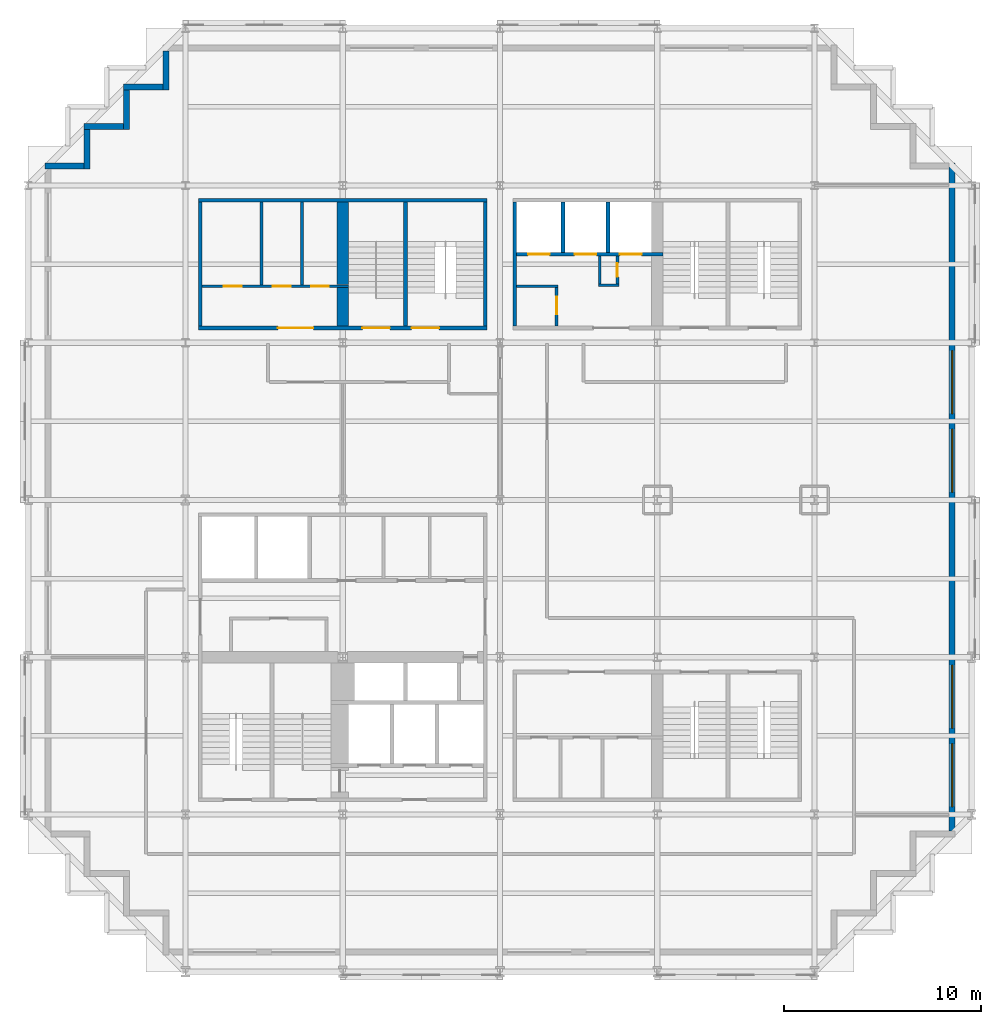
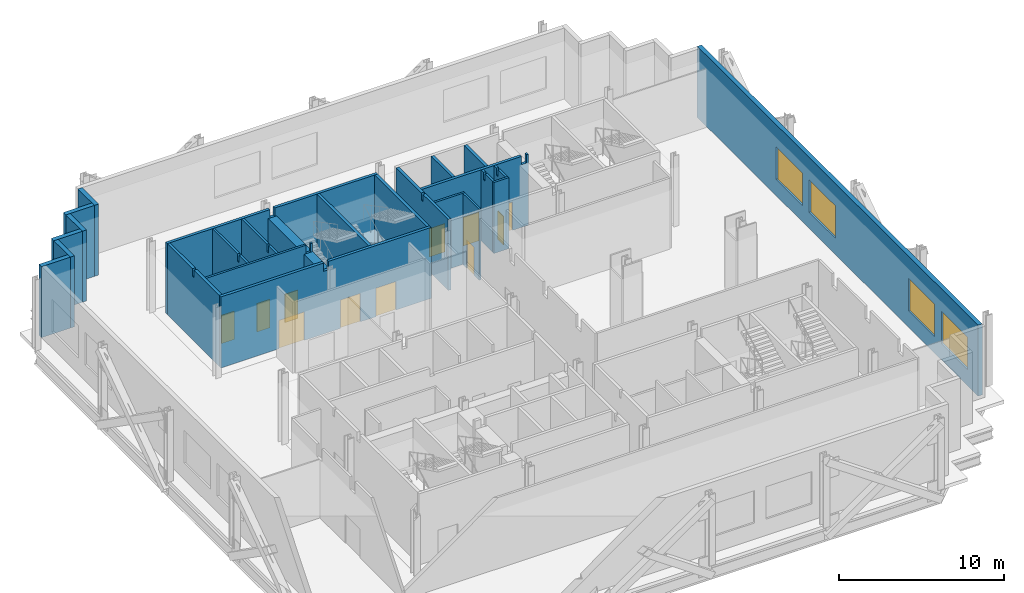
# One storey, part 7 of 10: 26 walls, 11 doors, 4 windows, 15 openings.
"""IFC4 building model written with IfcOpenShell, lengths in metres."""

from ifc_helpers import new_model, si_unit, direction, frame, frame_2d, origin, place, context, subcontext, project, spatial, polyline, rectangle, outline, extrude, material, layer, layer_set, type_object, element, fill, save


model = new_model("IFC4")

# Units and contexts
model_context = context("Model", 3, precision=1e-05, world=origin(), true_north=direction((0.0, 1.0)))
body_context = subcontext(model_context, "Body", "Model", "MODEL_VIEW")
ifc_project = project(units=[si_unit("LENGTHUNIT", "METRE"), si_unit("AREAUNIT", "SQUARE_METRE"), si_unit("VOLUMEUNIT", "CUBIC_METRE"), si_unit("PLANEANGLEUNIT", "RADIAN"), si_unit("MASSUNIT", "GRAM", prefix="KILO")], contexts=[model_context])

# Site, building, storey
site_placement = place(None, origin())
site = spatial("IfcSite", under=ifc_project, at=site_placement, CompositionType="ELEMENT")
building_placement = place(site_placement, origin())
building = spatial("IfcBuilding", under=site, at=building_placement, Name="Immortelle Media Tower", CompositionType="ELEMENT")
storey_placement = place(building_placement, frame((0.0, 0.0, 29.39990234375)))
storey = spatial("IfcBuildingStorey", under=building, at=storey_placement, Name="L03", CompositionType="ELEMENT", Elevation=29.39990234375)

# Wall, openings, doors
ifc_material_1 = material(Name="Fire-rated gypsum board", Category="gypsum")
ifc_layer_1 = layer(ifc_material_1, 0.02490234375)
ifc_material_2 = material(Name="Steel ASTM A653 SS Gr 50 stud frame with mineral wool", Category="steel")
ifc_layer_2 = layer(ifc_material_2, 0.10009765625)
ifc_layer_3 = layer(ifc_material_1, 0.02490234375)
ifc_layer_set_1 = layer_set([ifc_layer_1, ifc_layer_2, ifc_layer_3], Name="Steel ASTM A653 SS Gr 50 stud frame with mineral wool")
wall_type_1 = type_object("IfcWallType", Name="Core partition 150", PredefinedType="PARTITIONING", material=ifc_layer_set_1)
wall_1_placement = place(storey_placement, frame((8.85009765625, 34.875, 0.0), z_axis=(0.0, 0.0, 1.0), x_axis=(1.0, 0.0, 0.0)))
wall_1 = element("IfcWall", 1, at=wall_1_placement, inside=storey, type_object=wall_type_1, Name="Core partition NW", PredefinedType="PARTITIONING", context=body_context, shape_type="SweptSolid", body=[
    extrude(outline(polyline([(0.0, 0.0), (7.449951171875, 0.0), (7.449951171875, 5.25), (7.31689453125, 5.25), (7.31591796875, 4.632080078125), (6.98388671875, 4.632080078125), (6.98291015625, 5.25), (0.0, 5.25), (0.0, 0.0)])), frame((0.0, 0.074951171875, 0.0), z_axis=(0.0, -1.0, 0.0), x_axis=(1.0, 0.0, 0.0)), (0.0, 0.0, 1.0), 0.14990234375),
])
opening_1_placement = place(wall_1_placement, frame((1.10009765625, 0.0, 0.0)))
opening_1 = element("IfcOpeningElement", 2, at=opening_1_placement, cuts=wall_1, Name="Opening P3-K021", PredefinedType="OPENING", context=body_context, shape_type="SweptSolid", body=[
    extrude(rectangle(XDim=0.89990234375, YDim=2.10009765625, at=frame_2d((0.449951171875, 1.050048828125))), frame((0.0, 0.0849609375, 0.0), z_axis=(0.0, -1.0, 0.0), x_axis=(1.0, 0.0, 0.0)), (0.0, 0.0, 1.0), 0.169921875),
])
opening_2_placement = place(wall_1_placement, frame((3.60009765625, 0.0, 0.0)))
opening_2 = element("IfcOpeningElement", 3, at=opening_2_placement, cuts=wall_1, Name="Opening P3-K022", PredefinedType="OPENING", context=body_context, shape_type="SweptSolid", body=[
    extrude(rectangle(XDim=0.89990234375, YDim=2.10009765625, at=frame_2d((0.449951171875, 1.050048828125))), frame((0.0, 0.0849609375, 0.0), z_axis=(0.0, -1.0, 0.0), x_axis=(1.0, 0.0, 0.0)), (0.0, 0.0, 1.0), 0.169921875),
])
opening_3_placement = place(wall_1_placement, frame((5.550048828125, 0.0, 0.0)))
opening_3 = element("IfcOpeningElement", 4, at=opening_3_placement, cuts=wall_1, Name="Opening P3-K024", PredefinedType="OPENING", context=body_context, shape_type="SweptSolid", body=[
    extrude(rectangle(XDim=0.89990234375, YDim=2.10009765625, at=frame_2d((0.449951171875, 1.050048828125))), frame((0.0, 0.0849609375, 0.0), z_axis=(0.0, -1.0, 0.0), x_axis=(1.0, 0.0, 0.0)), (0.0, 0.0, 1.0), 0.169921875),
])
ifc_material_3 = material(Name="Timber", Category="wood")
door_type_1 = type_object("IfcDoorType", Name="Room door 900 x 2100", OperationType="NOTDEFINED", PredefinedType="NOTDEFINED", material=ifc_material_3)
door_1_placement = place(opening_1_placement, origin())
door_1 = element("IfcDoor", 5, at=door_1_placement, inside=storey, type_object=door_type_1, Name="Room P3-K021", OperationType="SINGLE_SWING_LEFT", OverallHeight=2.10009765625, OverallWidth=0.89990234375, PredefinedType="NOTDEFINED", context=body_context, shape_type="SweptSolid", body=[
    extrude(rectangle(XDim=0.89990234375, YDim=2.10009765625, at=frame_2d((0.449951171875, 1.050048828125))), frame((0.0, 0.02490234375, 0.0), z_axis=(0.0, -1.0, 0.0), x_axis=(1.0, 0.0, 0.0)), (0.0, 0.0, 1.0), 0.050048828125),
])
fill(opening_1, door_1)
door_2_placement = place(opening_2_placement, origin())
door_2 = element("IfcDoor", 6, at=door_2_placement, inside=storey, type_object=door_type_1, Name="Room P3-K022", OperationType="SINGLE_SWING_LEFT", OverallHeight=2.10009765625, OverallWidth=0.89990234375, PredefinedType="NOTDEFINED", context=body_context, shape_type="SweptSolid", body=[
    extrude(rectangle(XDim=0.89990234375, YDim=2.10009765625, at=frame_2d((0.449951171875, 1.050048828125))), frame((0.0, 0.02490234375, 0.0), z_axis=(0.0, -1.0, 0.0), x_axis=(1.0, 0.0, 0.0)), (0.0, 0.0, 1.0), 0.050048828125),
])
fill(opening_2, door_2)
ifc_material_4 = material(Name="Galvanised steel door leaf and frame ASTM A653", Category="steel")
door_type_2 = type_object("IfcDoorType", Name="Service door 900 x 2100", OperationType="NOTDEFINED", PredefinedType="NOTDEFINED", material=ifc_material_4)
door_3_placement = place(opening_3_placement, origin())
door_3 = element("IfcDoor", 7, at=door_3_placement, inside=storey, type_object=door_type_2, Name="Service P3-K024", OperationType="SINGLE_SWING_RIGHT", OverallHeight=2.10009765625, OverallWidth=0.89990234375, PredefinedType="NOTDEFINED", context=body_context, shape_type="SweptSolid", body=[
    extrude(rectangle(XDim=0.89990234375, YDim=2.10009765625, at=frame_2d((0.449951171875, 1.050048828125))), frame((0.0, 0.02490234375, 0.0), z_axis=(0.0, -1.0, 0.0), x_axis=(1.0, 0.0, 0.0)), (0.0, 0.0, 1.0), 0.050048828125),
])
fill(opening_3, door_3)

# Walls
for number, where, z_axis, x_axis, name in (
    (8, (11.875, 34.949951171875, 0.0), (0.0, 0.0, 1.0), (0.0, 1.0, 0.0), "Core partition NW"),
    (9, (13.925048828125, 34.949951171875, 0.0), (0.0, 0.0, 1.0), (0.0, 1.0, 0.0), "Core partition NW"),
):
    element("IfcWall", number, at=place(storey_placement, frame(where, z_axis=z_axis, x_axis=x_axis)), inside=storey, type_object=wall_type_1, Name=name, PredefinedType="PARTITIONING", context=body_context, shape_type="SweptSolid", body=[
        extrude(outline(polyline([(0.0, 0.0), (4.199951171875, 0.0), (4.199951171875, 5.25), (1.138427734375, 5.25), (1.137451171875, 4.7080078125), (0.96240234375, 4.7080078125), (0.96142578125, 5.25), (0.0, 5.25), (0.0, 0.0)])), frame((0.0, 0.074951171875, 0.0), z_axis=(0.0, -1.0, 0.0), x_axis=(1.0, 0.0, 0.0)), (0.0, 0.0, 1.0), 0.14990234375),
    ])
wall_2_placement = place(storey_placement, frame((24.85009765625, 34.875, 0.0), z_axis=(0.0, 0.0, 1.0), x_axis=(1.0, 0.0, 0.0)))
element("IfcWall", 10, at=wall_2_placement, inside=storey, type_object=wall_type_1, Name="Core partition NE", PredefinedType="PARTITIONING", context=body_context, shape_type="SweptSolid", body=[
    extrude(rectangle(XDim=2.099853515625, YDim=0.14990234375, at=frame_2d((1.0498046875, 0.0))), origin(), (0.0, 0.0, 1.0), 5.25),
])

# Wall, opening, door
wall_3_placement = place(storey_placement, frame((26.875, 32.85009765625, 0.0), z_axis=(0.0, 0.0, 1.0), x_axis=(0.0, 1.0, 0.0)))
wall_3 = element("IfcWall", 11, at=wall_3_placement, inside=storey, type_object=wall_type_1, Name="Core partition NE", PredefinedType="PARTITIONING", context=body_context, shape_type="SweptSolid", body=[
    extrude(rectangle(XDim=1.949951171875, YDim=0.14990234375, at=frame_2d((0.97509765625, 0.0))), origin(), (0.0, 0.0, 1.0), 5.25),
])
opening_4_placement = place(wall_3_placement, frame((0.60009765625, 0.0, 0.0)))
opening_4 = element("IfcOpeningElement", 12, at=opening_4_placement, cuts=wall_3, Name="Opening P3-K028", PredefinedType="OPENING", context=body_context, shape_type="SweptSolid", body=[
    extrude(rectangle(XDim=0.89990234375, YDim=2.10009765625, at=frame_2d((0.449951171875, 1.050048828125))), frame((0.0, 0.0849609375, 0.0), z_axis=(0.0, -1.0, 0.0), x_axis=(1.0, 0.0, 0.0)), (0.0, 0.0, 1.0), 0.169921875),
])
door_4_placement = place(opening_4_placement, origin())
door_4 = element("IfcDoor", 13, at=door_4_placement, inside=storey, type_object=door_type_2, Name="Service P3-K028", OperationType="SINGLE_SWING_RIGHT", OverallHeight=2.10009765625, OverallWidth=0.89990234375, PredefinedType="NOTDEFINED", context=body_context, shape_type="SweptSolid", body=[
    extrude(rectangle(XDim=0.89990234375, YDim=2.10009765625, at=frame_2d((0.449951171875, 1.050048828125))), frame((0.0, 0.02490234375, 0.0), z_axis=(0.0, -1.0, 0.0), x_axis=(1.0, 0.0, 0.0)), (0.0, 0.0, 1.0), 0.050048828125),
])
fill(opening_4, door_4)

# Walls
wall_4_placement = place(storey_placement, frame((29.0, 34.925048828125, 0.0), z_axis=(0.0, 0.0, 1.0), x_axis=(1.0, 0.0, 0.0)))
element("IfcWall", 14, at=wall_4_placement, inside=storey, type_object=wall_type_1, Name="Core partition NE", PredefinedType="PARTITIONING", context=body_context, shape_type="SweptSolid", body=[
    extrude(rectangle(XDim=1.050048828125, YDim=0.14990234375, at=frame_2d((0.52490234375, 0.0))), origin(), (0.0, 0.0, 1.0), 5.25),
])
wall_5_placement = place(storey_placement, frame((29.074951171875, 35.0, 0.0), z_axis=(0.0, 0.0, 1.0), x_axis=(0.0, 1.0, 0.0)))
element("IfcWall", 15, at=wall_5_placement, inside=storey, type_object=wall_type_1, Name="Core partition NE", PredefinedType="PARTITIONING", context=body_context, shape_type="SweptSolid", body=[
    extrude(outline(polyline([(0.0, 0.0), (1.39990234375, 0.0), (1.39990234375, 5.25), (1.08837890625, 5.25), (1.08740234375, 4.7080078125), (0.91259765625, 4.7080078125), (0.91162109375, 5.25), (0.0, 5.25), (0.0, 0.0)])), frame((0.0, 0.074951171875, 0.0), z_axis=(0.0, -1.0, 0.0), x_axis=(1.0, 0.0, 0.0)), (0.0, 0.0, 1.0), 0.14990234375),
])

# Wall, opening, door
wall_6_placement = place(storey_placement, frame((29.97509765625, 35.0, 0.0), z_axis=(0.0, 0.0, 1.0), x_axis=(0.0, 1.0, 0.0)))
wall_6 = element("IfcWall", 16, at=wall_6_placement, inside=storey, type_object=wall_type_1, Name="Core partition NE", PredefinedType="PARTITIONING", context=body_context, shape_type="SweptSolid", body=[
    extrude(outline(polyline([(0.0, 0.0), (1.39990234375, 0.0), (1.39990234375, 5.25), (1.08837890625, 5.25), (1.08740234375, 4.7080078125), (0.91259765625, 4.7080078125), (0.91162109375, 5.25), (0.0, 5.25), (0.0, 0.0)])), frame((0.0, 0.074951171875, 0.0), z_axis=(0.0, -1.0, 0.0), x_axis=(1.0, 0.0, 0.0)), (0.0, 0.0, 1.0), 0.14990234375),
])
opening_5_placement = place(wall_6_placement, frame((0.35009765625, 0.0, 0.0)))
opening_5 = element("IfcOpeningElement", 17, at=opening_5_placement, cuts=wall_6, Name="Opening P3-K031", PredefinedType="OPENING", context=body_context, shape_type="SweptSolid", body=[
    extrude(rectangle(XDim=0.699951171875, YDim=2.10009765625, at=frame_2d((0.35009765625, 1.050048828125))), frame((0.0, 0.0849609375, 0.0), z_axis=(0.0, -1.0, 0.0), x_axis=(1.0, 0.0, 0.0)), (0.0, 0.0, 1.0), 0.169921875),
])
door_type_3 = type_object("IfcDoorType", Name="Service door 700 x 2100", OperationType="NOTDEFINED", PredefinedType="NOTDEFINED", material=ifc_material_4)
door_5_placement = place(opening_5_placement, origin())
door_5 = element("IfcDoor", 18, at=door_5_placement, inside=storey, type_object=door_type_3, Name="Service P3-K031", OperationType="SINGLE_SWING_LEFT", OverallHeight=2.10009765625, OverallWidth=0.699951171875, PredefinedType="NOTDEFINED", context=body_context, shape_type="SweptSolid", body=[
    extrude(rectangle(XDim=0.699951171875, YDim=2.10009765625, at=frame_2d((0.35009765625, 1.050048828125))), frame((0.0, 0.02490234375, 0.0), z_axis=(0.0, -1.0, 0.0), x_axis=(1.0, 0.0, 0.0)), (0.0, 0.0, 1.0), 0.050048828125),
])
fill(opening_5, door_5)

# Walls
ifc_layer_4 = layer(ifc_material_1, 0.03759765625)
ifc_layer_5 = layer(ifc_material_2, 0.125)
ifc_layer_6 = layer(ifc_material_1, 0.03759765625)
ifc_layer_set_2 = layer_set([ifc_layer_4, ifc_layer_5, ifc_layer_6], Name="Steel ASTM A653 SS Gr 50 stud frame with mineral wool")
wall_type_2 = type_object("IfcWallType", Name="Core shaft wall 200", PredefinedType="PARTITIONING", material=ifc_layer_set_2)
for number, where, z_axis, x_axis, name in (
    (19, (8.75, 32.85009765625, 0.0), (0.0, 0.0, 1.0), (0.0, 1.0, 0.0), "Core shaft wall NW"),
    (20, (24.75, 32.85009765625, 0.0), (0.0, 0.0, 1.0), (0.0, 1.0, 0.0), "Core shaft wall NE"),
):
    element("IfcWall", number, at=place(storey_placement, frame(where, z_axis=z_axis, x_axis=x_axis)), inside=storey, type_object=wall_type_2, Name=name, PredefinedType="PARTITIONING", context=body_context, shape_type="SweptSolid", body=[
        extrude(outline(polyline([(0.0, 0.0), (6.2998046875, 0.0), (6.300048828125, 5.25), (3.238525390625, 5.25), (3.237548828125, 4.7080078125), (3.0625, 4.7080078125), (3.0615234375, 5.25), (0.0, 5.25), (0.0, 0.0)])), frame((0.0, 0.10009765625, 0.0), z_axis=(0.0, -1.0, 0.0), x_axis=(1.0, 0.0, 0.0)), (0.0, 0.0, 1.0), 0.199951171875),
    ])

# Wall, openings, doors
wall_7_placement = place(storey_placement, frame((24.85009765625, 36.5, 0.0), z_axis=(0.0, 0.0, 1.0), x_axis=(1.0, 0.0, 0.0)))
wall_7 = element("IfcWall", 21, at=wall_7_placement, inside=storey, type_object=wall_type_2, Name="Core shaft wall NE", PredefinedType="PARTITIONING", context=body_context, shape_type="SweptSolid", body=[
    extrude(outline(polyline([(0.0, 0.0), (7.449951171875, 0.0), (7.449951171875, 5.25), (7.31689453125, 5.25), (7.31591796875, 4.632080078125), (6.98388671875, 4.632080078125), (6.98291015625, 5.25), (0.0, 5.25), (0.0, 0.0)])), frame((0.0, 0.10009765625, 0.0), z_axis=(0.0, -1.0, 0.0), x_axis=(1.0, 0.0, 0.0)), (0.0, 0.0, 1.0), 0.199951171875),
])
opening_6_placement = place(wall_7_placement, frame((0.574951171875, 0.0, 0.0)))
opening_6 = element("IfcOpeningElement", 22, at=opening_6_placement, cuts=wall_7, Name="Opening LD", PredefinedType="OPENING", context=body_context, shape_type="SweptSolid", body=[
    extrude(rectangle(XDim=1.10009765625, YDim=2.10009765625, at=frame_2d((0.550048828125, 1.050048828125))), frame((0.0, 0.10986328125, 0.0), z_axis=(0.0, -1.0, 0.0), x_axis=(1.0, 0.0, 0.0)), (0.0, 0.0, 1.0), 0.219970703125),
])
opening_7_placement = place(wall_7_placement, frame((2.949951171875, 0.0, 0.0)))
opening_7 = element("IfcOpeningElement", 23, at=opening_7_placement, cuts=wall_7, Name="Opening LD", PredefinedType="OPENING", context=body_context, shape_type="SweptSolid", body=[
    extrude(rectangle(XDim=1.10009765625, YDim=2.10009765625, at=frame_2d((0.550048828125, 1.050048828125))), frame((0.0, 0.10986328125, 0.0), z_axis=(0.0, -1.0, 0.0), x_axis=(1.0, 0.0, 0.0)), (0.0, 0.0, 1.0), 0.219970703125),
])
opening_8_placement = place(wall_7_placement, frame((5.25, 0.0, 0.0)))
opening_8 = element("IfcOpeningElement", 24, at=opening_8_placement, cuts=wall_7, Name="Opening LD", PredefinedType="OPENING", context=body_context, shape_type="SweptSolid", body=[
    extrude(rectangle(XDim=1.10009765625, YDim=2.10009765625, at=frame_2d((0.550048828125, 1.050048828125))), frame((0.0, 0.10986328125, 0.0), z_axis=(0.0, -1.0, 0.0), x_axis=(1.0, 0.0, 0.0)), (0.0, 0.0, 1.0), 0.219970703125),
])
ifc_material_5 = material(Name="Stainless steel AISI 304", Category="steel")
door_type_4 = type_object("IfcDoorType", Name="Landing door 1100 x 2100", OperationType="SLIDING_TO_LEFT", PredefinedType="NOTDEFINED", material=ifc_material_5)
door_6_placement = place(opening_6_placement, origin())
door_6 = element("IfcDoor", 25, at=door_6_placement, inside=storey, type_object=door_type_4, Name="Landing door LR1 L03", OperationType="SLIDING_TO_LEFT", OverallHeight=2.10009765625, OverallWidth=1.10009765625, PredefinedType="NOTDEFINED", context=body_context, shape_type="SweptSolid", body=[
    extrude(rectangle(XDim=1.10009765625, YDim=2.10009765625, at=frame_2d((0.550048828125, 1.050048828125))), frame((0.0, 0.02490234375, 0.0), z_axis=(0.0, -1.0, 0.0), x_axis=(1.0, 0.0, 0.0)), (0.0, 0.0, 1.0), 0.050048828125),
])
fill(opening_6, door_6)
door_7_placement = place(opening_7_placement, origin())
door_7 = element("IfcDoor", 26, at=door_7_placement, inside=storey, type_object=door_type_4, Name="Landing door LR2 L03", OperationType="SLIDING_TO_LEFT", OverallHeight=2.10009765625, OverallWidth=1.10009765625, PredefinedType="NOTDEFINED", context=body_context, shape_type="SweptSolid", body=[
    extrude(rectangle(XDim=1.10009765625, YDim=2.10009765625, at=frame_2d((0.550048828125, 1.050048828125))), frame((0.0, 0.02490234375, 0.0), z_axis=(0.0, -1.0, 0.0), x_axis=(1.0, 0.0, 0.0)), (0.0, 0.0, 1.0), 0.050048828125),
])
fill(opening_7, door_7)
door_8_placement = place(opening_8_placement, origin())
door_8 = element("IfcDoor", 27, at=door_8_placement, inside=storey, type_object=door_type_4, Name="Landing door LR3 L03", OperationType="SLIDING_TO_LEFT", OverallHeight=2.10009765625, OverallWidth=1.10009765625, PredefinedType="NOTDEFINED", context=body_context, shape_type="SweptSolid", body=[
    extrude(rectangle(XDim=1.10009765625, YDim=2.10009765625, at=frame_2d((0.550048828125, 1.050048828125))), frame((0.0, 0.02490234375, 0.0), z_axis=(0.0, -1.0, 0.0), x_axis=(1.0, 0.0, 0.0)), (0.0, 0.0, 1.0), 0.050048828125),
])
fill(opening_8, door_8)

# Walls
for number, where, z_axis, x_axis, name in (
    (28, (27.199951171875, 36.60009765625, 0.0), (0.0, 0.0, 1.0), (0.0, 1.0, 0.0), "Core shaft wall NE"),
    (29, (29.5, 36.60009765625, 0.0), (0.0, 0.0, 1.0), (0.0, 1.0, 0.0), "Core shaft wall NE"),
):
    element("IfcWall", number, at=place(storey_placement, frame(where, z_axis=z_axis, x_axis=x_axis)), inside=storey, type_object=wall_type_2, Name=name, PredefinedType="PARTITIONING", context=body_context, shape_type="SweptSolid", body=[
        extrude(rectangle(XDim=2.5498046875, YDim=0.199951171875, at=frame_2d((1.27490234375, 0.0))), origin(), (0.0, 0.0, 1.0), 5.25),
    ])

# Wall, openings, windows
ifc_material_6 = material(Name="Pale aluminium cladding panel", Category="aluminium")
ifc_layer_7 = layer(ifc_material_6, 0.030029296875)
ifc_layer_8 = layer(ifc_material_2, 0.257568359375)
ifc_material_7 = material(Name="Moisture-resistant gypsum board", Category="gypsum")
ifc_layer_9 = layer(ifc_material_7, 0.012451171875)
ifc_layer_set_3 = layer_set([ifc_layer_7, ifc_layer_8, ifc_layer_9], Name="Steel ASTM A653 SS Gr 50 stud frame with mineral wool")
wall_type_3 = type_object("IfcWallType", Name="Pale metal clad wall 300", PredefinedType="STANDARD", material=ifc_layer_set_3)
wall_8_placement = place(storey_placement, frame((47.0, 7.14990234375, 0.0), z_axis=(0.0, 0.0, 1.0), x_axis=(0.0, 1.0, 0.0)))
wall_8 = element("IfcWall", 30, at=wall_8_placement, inside=storey, type_object=wall_type_3, Name="Support floor wall L03 E 14", PredefinedType="STANDARD", context=body_context, shape_type="SweptSolid", body=[
    extrude(rectangle(XDim=34.0, YDim=0.300048828125, at=frame_2d((17.0, 0.0))), origin(), (0.0, 0.0, 1.0), 5.25),
])
opening_9_placement = place(wall_8_placement, frame((1.25, 0.0, 1.199951171875)))
opening_9 = element("IfcOpeningElement", 31, at=opening_9_placement, cuts=wall_8, Name="Opening WE1", PredefinedType="OPENING", context=body_context, shape_type="SweptSolid", body=[
    extrude(rectangle(XDim=3.199951171875, YDim=2.39990234375, at=frame_2d((1.60009765625, 1.199951171875))), frame((0.0, 0.159912109375, 0.0), z_axis=(0.0, -1.0, 0.0), x_axis=(1.0, 0.0, 0.0)), (0.0, 0.0, 1.0), 0.320068359375),
])
opening_10_placement = place(wall_8_placement, frame((5.25, 0.0, 1.199951171875)))
opening_10 = element("IfcOpeningElement", 32, at=opening_10_placement, cuts=wall_8, Name="Opening WE1", PredefinedType="OPENING", context=body_context, shape_type="SweptSolid", body=[
    extrude(rectangle(XDim=3.199951171875, YDim=2.39990234375, at=frame_2d((1.60009765625, 1.199951171875))), frame((0.0, 0.159912109375, 0.0), z_axis=(0.0, -1.0, 0.0), x_axis=(1.0, 0.0, 0.0)), (0.0, 0.0, 1.0), 0.320068359375),
])
opening_11_placement = place(wall_8_placement, frame((17.25, 0.0, 1.199951171875)))
opening_11 = element("IfcOpeningElement", 33, at=opening_11_placement, cuts=wall_8, Name="Opening WE1", PredefinedType="OPENING", context=body_context, shape_type="SweptSolid", body=[
    extrude(rectangle(XDim=3.199951171875, YDim=2.39990234375, at=frame_2d((1.60009765625, 1.199951171875))), frame((0.0, 0.159912109375, 0.0), z_axis=(0.0, -1.0, 0.0), x_axis=(1.0, 0.0, 0.0)), (0.0, 0.0, 1.0), 0.320068359375),
])
opening_12_placement = place(wall_8_placement, frame((21.25, 0.0, 1.199951171875)))
opening_12 = element("IfcOpeningElement", 34, at=opening_12_placement, cuts=wall_8, Name="Opening WE1", PredefinedType="OPENING", context=body_context, shape_type="SweptSolid", body=[
    extrude(rectangle(XDim=3.199951171875, YDim=2.39990234375, at=frame_2d((1.60009765625, 1.199951171875))), frame((0.0, 0.159912109375, 0.0), z_axis=(0.0, -1.0, 0.0), x_axis=(1.0, 0.0, 0.0)), (0.0, 0.0, 1.0), 0.320068359375),
])
ifc_material_8 = material(Name="Aluminium frame, double glazed 6-16-6 low-e", Category="aluminium")
window_type = type_object("IfcWindowType", Name="Ribbon window 3200", PartitioningType="SINGLE_PANEL", PredefinedType="WINDOW", material=ifc_material_8)
window_1_placement = place(opening_9_placement, origin())
window_1 = element("IfcWindow", 35, at=window_1_placement, inside=storey, type_object=window_type, Name="Ribbon window L03-1", OverallHeight=2.39990234375, OverallWidth=3.199951171875, PartitioningType="SINGLE_PANEL", PredefinedType="WINDOW", context=body_context, shape_type="SweptSolid", body=[
    extrude(rectangle(XDim=3.199951171875, YDim=2.39990234375, at=frame_2d((1.60009765625, 1.199951171875))), frame((0.0, 0.030029296875, 0.0), z_axis=(0.0, -1.0, 0.0), x_axis=(1.0, 0.0, 0.0)), (0.0, 0.0, 1.0), 0.06005859375),
])
fill(opening_9, window_1)
window_2_placement = place(opening_10_placement, origin())
window_2 = element("IfcWindow", 36, at=window_2_placement, inside=storey, type_object=window_type, Name="Ribbon window L03-2", OverallHeight=2.39990234375, OverallWidth=3.199951171875, PartitioningType="SINGLE_PANEL", PredefinedType="WINDOW", context=body_context, shape_type="SweptSolid", body=[
    extrude(rectangle(XDim=3.199951171875, YDim=2.39990234375, at=frame_2d((1.60009765625, 1.199951171875))), frame((0.0, 0.030029296875, 0.0), z_axis=(0.0, -1.0, 0.0), x_axis=(1.0, 0.0, 0.0)), (0.0, 0.0, 1.0), 0.06005859375),
])
fill(opening_10, window_2)
window_3_placement = place(opening_11_placement, origin())
window_3 = element("IfcWindow", 37, at=window_3_placement, inside=storey, type_object=window_type, Name="Ribbon window L03-3", OverallHeight=2.39990234375, OverallWidth=3.199951171875, PartitioningType="SINGLE_PANEL", PredefinedType="WINDOW", context=body_context, shape_type="SweptSolid", body=[
    extrude(rectangle(XDim=3.199951171875, YDim=2.39990234375, at=frame_2d((1.60009765625, 1.199951171875))), frame((0.0, 0.030029296875, 0.0), z_axis=(0.0, -1.0, 0.0), x_axis=(1.0, 0.0, 0.0)), (0.0, 0.0, 1.0), 0.06005859375),
])
fill(opening_11, window_3)
window_4_placement = place(opening_12_placement, origin())
window_4 = element("IfcWindow", 38, at=window_4_placement, inside=storey, type_object=window_type, Name="Ribbon window L03-4", OverallHeight=2.39990234375, OverallWidth=3.199951171875, PartitioningType="SINGLE_PANEL", PredefinedType="WINDOW", context=body_context, shape_type="SweptSolid", body=[
    extrude(rectangle(XDim=3.199951171875, YDim=2.39990234375, at=frame_2d((1.60009765625, 1.199951171875))), frame((0.0, 0.030029296875, 0.0), z_axis=(0.0, -1.0, 0.0), x_axis=(1.0, 0.0, 0.0)), (0.0, 0.0, 1.0), 0.06005859375),
])
fill(opening_12, window_4)

# Walls
for number, where, z_axis, x_axis, name in (
    (39, (7.0, 46.85009765625, 0.0), (0.0, 0.0, 1.0), (0.0, -1.0, 0.0), "Support floor wall L03 W 22"),
    (40, (6.85009765625, 45.0, 0.0), (0.0, 0.0, 1.0), (-1.0, 0.0, 0.0), "Support floor wall L03 N 23"),
    (41, (5.0, 44.85009765625, 0.0), (0.0, 0.0, 1.0), (0.0, -1.0, 0.0), "Support floor wall L03 W 24"),
    (42, (4.85009765625, 43.0, 0.0), (0.0, 0.0, 1.0), (-1.0, 0.0, 0.0), "Support floor wall L03 N 25"),
    (43, (3.0, 42.85009765625, 0.0), (0.0, 0.0, 1.0), (0.0, -1.0, 0.0), "Support floor wall L03 W 26"),
    (44, (2.85009765625, 41.0, 0.0), (0.0, 0.0, 1.0), (-1.0, 0.0, 0.0), "Support floor wall L03 N 27"),
):
    element("IfcWall", number, at=place(storey_placement, frame(where, z_axis=z_axis, x_axis=x_axis)), inside=storey, type_object=wall_type_3, Name=name, PredefinedType="STANDARD", context=body_context, shape_type="SweptSolid", body=[
        extrude(rectangle(XDim=2.0, YDim=0.300048828125, at=frame_2d((1.0, 0.0))), origin(), (0.0, 0.0, 1.0), 5.25),
    ])

# Wall, openings, doors
ifc_material_9 = material(Name="Concrete C60", Category="concrete")
ifc_layer_10 = layer(ifc_material_9, 0.199951171875)
ifc_layer_set_4 = layer_set([ifc_layer_10], Name="Concrete C60")
wall_type_4 = type_object("IfcWallType", Name="Stair shaft wall 200", PredefinedType="PARTITIONING", material=ifc_layer_set_4)
wall_9_placement = place(storey_placement, frame((8.64990234375, 32.75, 0.0), z_axis=(0.0, 0.0, 1.0), x_axis=(1.0, 0.0, 0.0)))
wall_9 = element("IfcWall", 45, at=wall_9_placement, inside=storey, type_object=wall_type_4, Name="Stair shaft wall NW", PredefinedType="PARTITIONING", context=body_context, shape_type="SweptSolid", body=[
    extrude(outline(polyline([(0.0, 0.0), (14.7001953125, 0.0), (14.699951171875, 5.25), (7.51708984375, 5.25), (7.51611328125, 4.632080078125), (7.18408203125, 4.632080078125), (7.18310546875, 5.25), (0.0, 5.25), (0.0, 0.0)])), frame((0.0, 0.10009765625, 0.0), z_axis=(0.0, -1.0, 0.0), x_axis=(1.0, 0.0, 0.0)), (0.0, 0.0, 1.0), 0.199951171875),
])
opening_13_placement = place(wall_9_placement, frame((4.050048828125, 0.0, 0.0)))
opening_13 = element("IfcOpeningElement", 46, at=opening_13_placement, cuts=wall_9, Name="Opening P3-K023", PredefinedType="OPENING", context=body_context, shape_type="SweptSolid", body=[
    extrude(rectangle(XDim=1.800048828125, YDim=2.10009765625, at=frame_2d((0.89990234375, 1.050048828125))), frame((0.0, 0.10986328125, 0.0), z_axis=(0.0, -1.0, 0.0), x_axis=(1.0, 0.0, 0.0)), (0.0, 0.0, 1.0), 0.219970703125),
])
opening_14_placement = place(wall_9_placement, frame((8.35009765625, 0.0, 0.0)))
opening_14 = element("IfcOpeningElement", 47, at=opening_14_placement, cuts=wall_9, Name="Opening P3-K025", PredefinedType="OPENING", context=body_context, shape_type="SweptSolid", body=[
    extrude(rectangle(XDim=1.39990234375, YDim=2.10009765625, at=frame_2d((0.699951171875, 1.050048828125))), frame((0.0, 0.10986328125, 0.0), z_axis=(0.0, -1.0, 0.0), x_axis=(1.0, 0.0, 0.0)), (0.0, 0.0, 1.0), 0.219970703125),
])
opening_15_placement = place(wall_9_placement, frame((10.85009765625, 0.0, 0.0)))
opening_15 = element("IfcOpeningElement", 48, at=opening_15_placement, cuts=wall_9, Name="Opening P3-K026", PredefinedType="OPENING", context=body_context, shape_type="SweptSolid", body=[
    extrude(rectangle(XDim=1.39990234375, YDim=2.10009765625, at=frame_2d((0.699951171875, 1.050048828125))), frame((0.0, 0.10986328125, 0.0), z_axis=(0.0, -1.0, 0.0), x_axis=(1.0, 0.0, 0.0)), (0.0, 0.0, 1.0), 0.219970703125),
])
door_type_5 = type_object("IfcDoorType", Name="Lift lobby door 1800 x 2100", OperationType="DOUBLE_DOOR_SINGLE_SWING", PredefinedType="NOTDEFINED", material=ifc_material_4)
door_9_placement = place(opening_13_placement, origin())
door_9 = element("IfcDoor", 49, at=door_9_placement, inside=storey, type_object=door_type_5, Name="Lift lobby P3-K023", OperationType="DOUBLE_DOOR_SINGLE_SWING", OverallHeight=2.10009765625, OverallWidth=1.800048828125, PredefinedType="NOTDEFINED", context=body_context, shape_type="SweptSolid", body=[
    extrude(rectangle(XDim=1.800048828125, YDim=2.10009765625, at=frame_2d((0.89990234375, 1.050048828125))), frame((0.0, 0.02490234375, 0.0), z_axis=(0.0, -1.0, 0.0), x_axis=(1.0, 0.0, 0.0)), (0.0, 0.0, 1.0), 0.050048828125),
])
fill(opening_13, door_9)
door_type_6 = type_object("IfcDoorType", Name="Stair door 1400 x 2100", OperationType="DOUBLE_DOOR_SINGLE_SWING", PredefinedType="NOTDEFINED", material=ifc_material_4)
door_10_placement = place(opening_14_placement, origin())
door_10 = element("IfcDoor", 50, at=door_10_placement, inside=storey, type_object=door_type_6, Name="Stair P3-K025", OperationType="DOUBLE_DOOR_SINGLE_SWING", OverallHeight=2.10009765625, OverallWidth=1.39990234375, PredefinedType="NOTDEFINED", context=body_context, shape_type="SweptSolid", body=[
    extrude(rectangle(XDim=1.39990234375, YDim=2.10009765625, at=frame_2d((0.699951171875, 1.050048828125))), frame((0.0, 0.02490234375, 0.0), z_axis=(0.0, -1.0, 0.0), x_axis=(1.0, 0.0, 0.0)), (0.0, 0.0, 1.0), 0.050048828125),
])
fill(opening_14, door_10)
door_11_placement = place(opening_15_placement, origin())
door_11 = element("IfcDoor", 51, at=door_11_placement, inside=storey, type_object=door_type_6, Name="Stair P3-K026", OperationType="DOUBLE_DOOR_SINGLE_SWING", OverallHeight=2.10009765625, OverallWidth=1.39990234375, PredefinedType="NOTDEFINED", context=body_context, shape_type="SweptSolid", body=[
    extrude(rectangle(XDim=1.39990234375, YDim=2.10009765625, at=frame_2d((0.699951171875, 1.050048828125))), frame((0.0, 0.02490234375, 0.0), z_axis=(0.0, -1.0, 0.0), x_axis=(1.0, 0.0, 0.0)), (0.0, 0.0, 1.0), 0.050048828125),
])
fill(opening_15, door_11)

# Walls
wall_10_placement = place(storey_placement, frame((8.64990234375, 39.25, 0.0), z_axis=(0.0, 0.0, 1.0), x_axis=(1.0, 0.0, 0.0)))
element("IfcWall", 52, at=wall_10_placement, inside=storey, type_object=wall_type_4, Name="Stair shaft wall NW", PredefinedType="PARTITIONING", context=body_context, shape_type="SweptSolid", body=[
    extrude(outline(polyline([(0.0, 0.0), (14.7001953125, 0.0), (14.699951171875, 5.25), (7.51708984375, 5.25), (7.51611328125, 4.632080078125), (7.18408203125, 4.632080078125), (7.18310546875, 5.25), (0.0, 5.25), (0.0, 0.0)])), frame((0.0, 0.10009765625, 0.0), z_axis=(0.0, -1.0, 0.0), x_axis=(1.0, 0.0, 0.0)), (0.0, 0.0, 1.0), 0.199951171875),
])
for number, where, z_axis, x_axis, name in (
    (53, (19.199951171875, 32.85009765625, 0.0), (0.0, 0.0, 1.0), (0.0, 1.0, 0.0), "Stair shaft wall NW"),
    (54, (23.25, 32.85009765625, 0.0), (0.0, 0.0, 1.0), (0.0, 1.0, 0.0), "Stair shaft wall NW"),
):
    element("IfcWall", number, at=place(storey_placement, frame(where, z_axis=z_axis, x_axis=x_axis)), inside=storey, type_object=wall_type_4, Name=name, PredefinedType="PARTITIONING", context=body_context, shape_type="SweptSolid", body=[
        extrude(rectangle(XDim=6.2998046875, YDim=0.199951171875, at=frame_2d((3.14990234375, 0.0))), origin(), (0.0, 0.0, 1.0), 5.25),
    ])
ifc_layer_11 = layer(ifc_material_9, 0.60009765625)
ifc_layer_set_5 = layer_set([ifc_layer_11], Name="Concrete C60")
wall_type_5 = type_object("IfcWallType", Name="Stair shaft wall 600", PredefinedType="PARTITIONING", material=ifc_layer_set_5)
wall_11_placement = place(storey_placement, frame((16.0, 32.85009765625, 0.0), z_axis=(0.0, 0.0, 1.0), x_axis=(0.0, 1.0, 0.0)))
element("IfcWall", 55, at=wall_11_placement, inside=storey, type_object=wall_type_5, Name="Stair shaft wall NW", PredefinedType="PARTITIONING", context=body_context, shape_type="SweptSolid", body=[
    extrude(rectangle(XDim=1.949951171875, YDim=0.60009765625, at=frame_2d((0.97509765625, 0.0))), origin(), (0.0, 0.0, 1.0), 4.632080078125),
])
wall_12_placement = place(storey_placement, frame((16.0, 34.949951171875, 0.0), z_axis=(0.0, 0.0, 1.0), x_axis=(0.0, 1.0, 0.0)))
element("IfcWall", 56, at=wall_12_placement, inside=storey, type_object=wall_type_5, Name="Stair shaft wall NW", PredefinedType="PARTITIONING", context=body_context, shape_type="SweptSolid", body=[
    extrude(rectangle(XDim=4.199951171875, YDim=0.60009765625, at=frame_2d((2.10009765625, 0.0))), origin(), (0.0, 0.0, 1.0), 4.632080078125),
])

save(model, "model.ifc")
